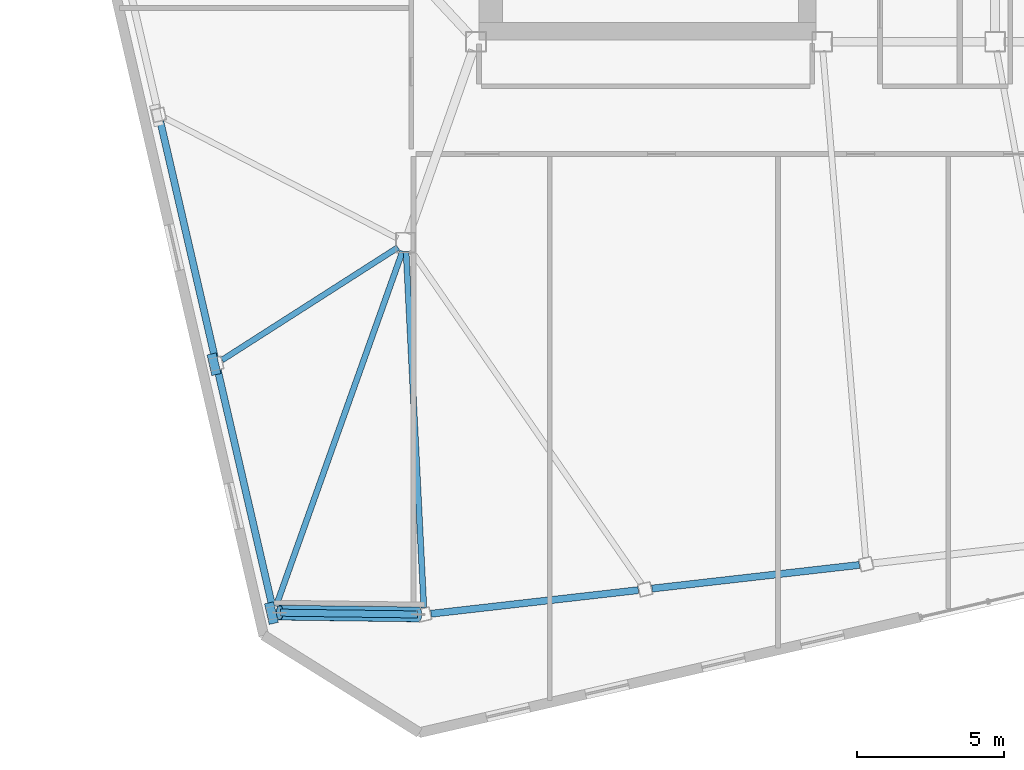
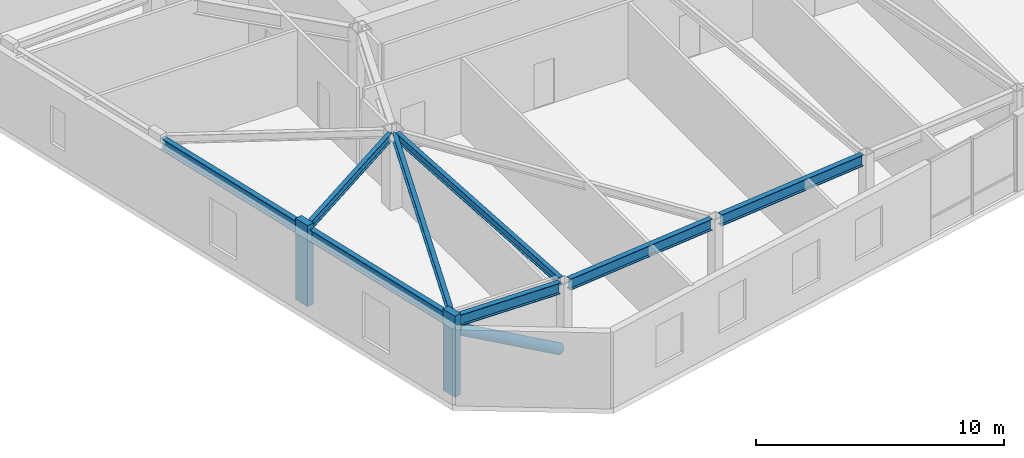
# One storey, part 5 of 22: 8 beams, 3 members.
"""IFC4 building model written with IfcOpenShell, lengths in metres."""

from ifc_helpers import new_model, si_unit, direction, frame, origin, origin_2d, place, context, subcontext, project, spatial, rectangle, hollow_circle, i_section, extrude, material, material_profile, profile_set, type_object, element, save


model = new_model("IFC4")

# Units and contexts
model_context = context("Model", 3, precision=1e-05, world=origin(), true_north=direction((0.0, 1.0)))
body_context = subcontext(model_context, "Body", "Model", "MODEL_VIEW")
ifc_project = project(units=[si_unit("LENGTHUNIT", "METRE"), si_unit("AREAUNIT", "SQUARE_METRE"), si_unit("VOLUMEUNIT", "CUBIC_METRE"), si_unit("PLANEANGLEUNIT", "RADIAN"), si_unit("MASSUNIT", "GRAM", prefix="KILO")], contexts=[model_context])

# Site, building, storey
site_placement = place(None, origin())
site = spatial("IfcSite", under=ifc_project, at=site_placement, CompositionType="ELEMENT")
building_placement = place(site_placement, origin())
building = spatial("IfcBuilding", under=site, at=building_placement, Name="Tavrogorsk Clinical Tower", CompositionType="ELEMENT")
storey_placement = place(building_placement, frame((0.0, 0.0, 317.0)))
storey = spatial("IfcBuildingStorey", under=building, at=storey_placement, Name="L74", CompositionType="ELEMENT", Elevation=317.0)

# Member
ifc_material_1 = material(Name="Structural steel S440", Category="steel")
ifc_material_profile_1 = material_profile(ifc_material_1, hollow_circle(Radius=0.25390625, WallThickness=0.02001953125, at=origin_2d()), Name="CHS-508x20")
ifc_profile_set_1 = profile_set([ifc_material_profile_1], Name="Structural steel S440")
member_type_1 = type_object("IfcMemberType", Name="ExoBrace_CHS508", PredefinedType="BRACE", material=ifc_profile_set_1)
member_placement = place(storey_placement, frame((-24.07080078125, -25.883056640625, 0.412841796875), z_axis=(-0.874894907887, 0.011394569062, 0.484178752062), x_axis=(-0.013022824449, -0.999915199426, 0.0)))
element("IfcMember", 1, at=member_placement, inside=storey, type_object=member_type_1, Name="L74 Corner Exoskeleton Brace W5-S1", PredefinedType="BRACE", context=body_context, shape_type="SweptSolid", body=[
    extrude(hollow_circle(Radius=0.25390625, WallThickness=0.02001953125, at=origin_2d()), origin(), (0.0, 0.0, 1.0), 5.3994140625),
])

# Beams
ifc_material_2 = material(Name="Structural steel S355", Category="steel")
ifc_material_profile_2 = material_profile(ifc_material_2, i_section(OverallWidth=0.199951171875, OverallDepth=0.39990234375, WebThickness=0.010498046875, FlangeThickness=0.01611328125, at=origin_2d()), Name="B-400x200x10.5x16")
ifc_profile_set_2 = profile_set([ifc_material_profile_2], Name="Structural steel S355")
beam_type_1 = type_object("IfcBeamType", Name="FloorBeam_B400", PredefinedType="BEAM", material=ifc_profile_set_2)
beam_1_placement = place(storey_placement, frame((-24.484619140625, -13.509521484375, 3.5400390625), z_axis=(0.049857498916, -0.998756341558, 0.0), x_axis=(0.998756341558, 0.049857498916, 0.0)))
element("IfcBeam", 2, at=beam_1_placement, inside=storey, type_object=beam_type_1, Name="L74 Radial Floor Beam S1", PredefinedType="BEAM", context=body_context, shape_type="SweptSolid", body=[
    extrude(i_section(OverallWidth=0.199951171875, OverallDepth=0.39990234375, WebThickness=0.010498046875, FlangeThickness=0.01611328125, at=origin_2d()), origin(), (0.0, 0.0, 1.0), 12.15869140625),
])
beam_2_placement = place(storey_placement, frame((-24.76123046875, -13.3671875, 3.5400390625), z_axis=(-0.842332392078, -0.538958385459, 0.0), x_axis=(0.538958385459, -0.842332392078, 0.0)))
element("IfcBeam", 3, at=beam_2_placement, inside=storey, type_object=beam_type_1, Name="L74 Radial Floor Beam W4", PredefinedType="BEAM", context=body_context, shape_type="SweptSolid", body=[
    extrude(i_section(OverallWidth=0.199951171875, OverallDepth=0.39990234375, WebThickness=0.010498046875, FlangeThickness=0.01611328125, at=origin_2d()), origin(), (0.0, 0.0, 1.0), 7.123779296875),
])
beam_3_placement = place(storey_placement, frame((-24.60400390625, -13.491943359375, 3.5400390625), z_axis=(-0.335800921645, -0.941932981173, 0.0), x_axis=(0.941932981173, -0.335800921645, 0.0)))
element("IfcBeam", 4, at=beam_3_placement, inside=storey, type_object=beam_type_1, Name="L74 Radial Floor Beam W5", PredefinedType="BEAM", context=body_context, shape_type="SweptSolid", body=[
    extrude(i_section(OverallWidth=0.199951171875, OverallDepth=0.39990234375, WebThickness=0.010498046875, FlangeThickness=0.01611328125, at=origin_2d()), origin(), (0.0, 0.0, 1.0), 12.85400390625),
])

# Members
ifc_material_3 = material(Name="Precast concrete B45 with limestone cladding", Category="masonry")
ifc_material_profile_3 = material_profile(ifc_material_3, rectangle(XDim=0.320068359375, YDim=0.719970703125, at=origin_2d()), Name="LIMESTONE-FIN-320x720")
ifc_profile_set_3 = profile_set([ifc_material_profile_3], Name="Precast concrete B45 with limestone cladding")
member_type_2 = type_object("IfcMemberType", Name="LimestonePleatFin_320x720", PredefinedType="USERDEFINED", material=ifc_profile_set_3)
for number, where, z_axis, x_axis, name in (
    (5, (-31.035888671875, -17.35009765625, 0.0), (0.0, 0.0, 1.0), (0.974370064785, 0.224951054344, 0.0), "L74 W Pleated Stone Fin 3"),
    (6, (-29.07666015625, -25.8369140625, 0.0), (0.0, 0.0, 1.0), (0.974370064785, 0.224951054344, 0.0), "L74 W Pleated Stone Fin 4"),
):
    element("IfcMember", number, at=place(storey_placement, frame(where, z_axis=z_axis, x_axis=x_axis)), inside=storey, type_object=member_type_2, Name=name, ObjectType="FIN", PredefinedType="USERDEFINED", context=body_context, shape_type="SweptSolid", body=[
        extrude(rectangle(XDim=0.320068359375, YDim=0.719970703125, at=origin_2d()), origin(), (0.0, 0.0, 1.0), 4.0),
    ])

# Beams
ifc_material_4 = material(Name="Structural steel S390", Category="steel")
ifc_material_profile_4 = material_profile(ifc_material_4, i_section(OverallWidth=0.239990234375, OverallDepth=0.550048828125, WebThickness=0.013916015625, FlangeThickness=0.02197265625, at=origin_2d()), Name="B-550x240x14x22")
ifc_profile_set_4 = profile_set([ifc_material_profile_4], Name="Structural steel S390")
beam_type_2 = type_object("IfcBeamType", Name="SpandrelBeam_B550", PredefinedType="SPANDREL", material=ifc_profile_set_4)
for number, where, z_axis, x_axis, name in (
    (7, (-23.635498046875, -25.859375, 3.465087890625), (0.993572073137, 0.113201305126, 0.0), (-0.113201305126, 0.993572073137, 0.0), "L74 Perimeter Spandrel S1-S2"),
    (8, (-16.098876953125, -25.000732421875, 3.465087890625), (0.993572073137, 0.113201305126, 0.0), (-0.113201305126, 0.993572073137, 0.0), "L74 Perimeter Spandrel S2-S3"),
):
    element("IfcBeam", number, at=place(storey_placement, frame(where, z_axis=z_axis, x_axis=x_axis)), inside=storey, type_object=beam_type_2, Name=name, PredefinedType="SPANDREL", context=body_context, shape_type="SweptSolid", body=[
        extrude(i_section(OverallWidth=0.239990234375, OverallDepth=0.550048828125, WebThickness=0.013916015625, FlangeThickness=0.02197265625, at=origin_2d()), origin(), (0.0, 0.0, 1.0), 7.119140625),
    ])
beam_4_placement = place(storey_placement, frame((-32.864990234375, -9.072509765625, 3.465087890625), z_axis=(0.224978460613, -0.974363737144, 0.0), x_axis=(0.974363737144, 0.224978460613, 0.0)))
element("IfcBeam", 9, at=beam_4_placement, inside=storey, type_object=beam_type_2, Name="L74 Perimeter Spandrel W3-W4", PredefinedType="SPANDREL", context=body_context, shape_type="SweptSolid", body=[
    extrude(i_section(OverallWidth=0.239990234375, OverallDepth=0.550048828125, WebThickness=0.013916015625, FlangeThickness=0.02197265625, at=origin_2d()), origin(), (0.0, 0.0, 1.0), 8.244140625),
])
beam_5_placement = place(storey_placement, frame((-30.905517578125, -17.559326171875, 3.465087890625), z_axis=(0.224950345141, -0.974370228517, 0.0), x_axis=(0.974370228517, 0.224950345141, 0.0)))
element("IfcBeam", 10, at=beam_5_placement, inside=storey, type_object=beam_type_2, Name="L74 Perimeter Spandrel W4-W5", PredefinedType="SPANDREL", context=body_context, shape_type="SweptSolid", body=[
    extrude(i_section(OverallWidth=0.239990234375, OverallDepth=0.550048828125, WebThickness=0.013916015625, FlangeThickness=0.02197265625, at=origin_2d()), origin(), (0.0, 0.0, 1.0), 8.243896484375),
])
beam_6_placement = place(storey_placement, frame((-28.765625, -25.822021484375, 3.465087890625), z_axis=(0.999915131489, -0.013028039754, 0.0), x_axis=(0.013028039754, 0.999915131489, 0.0)))
element("IfcBeam", 11, at=beam_6_placement, inside=storey, type_object=beam_type_2, Name="L74 Perimeter Spandrel W5-S1", PredefinedType="SPANDREL", context=body_context, shape_type="SweptSolid", body=[
    extrude(i_section(OverallWidth=0.239990234375, OverallDepth=0.550048828125, WebThickness=0.013916015625, FlangeThickness=0.02197265625, at=origin_2d()), origin(), (0.0, 0.0, 1.0), 4.666259765625),
])

save(model, "model.ifc")
